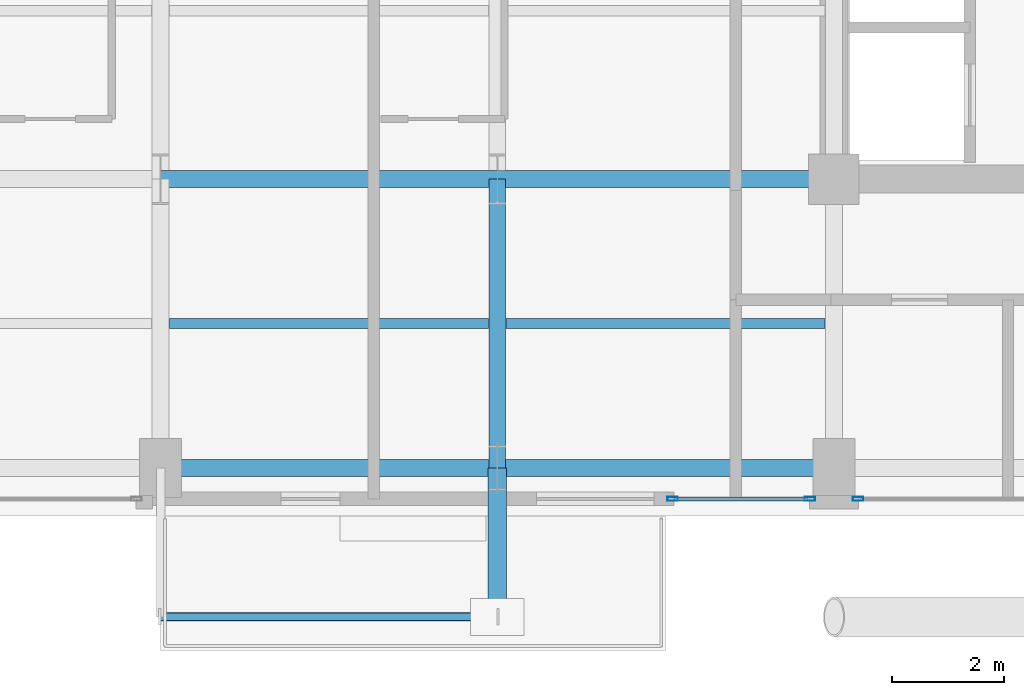
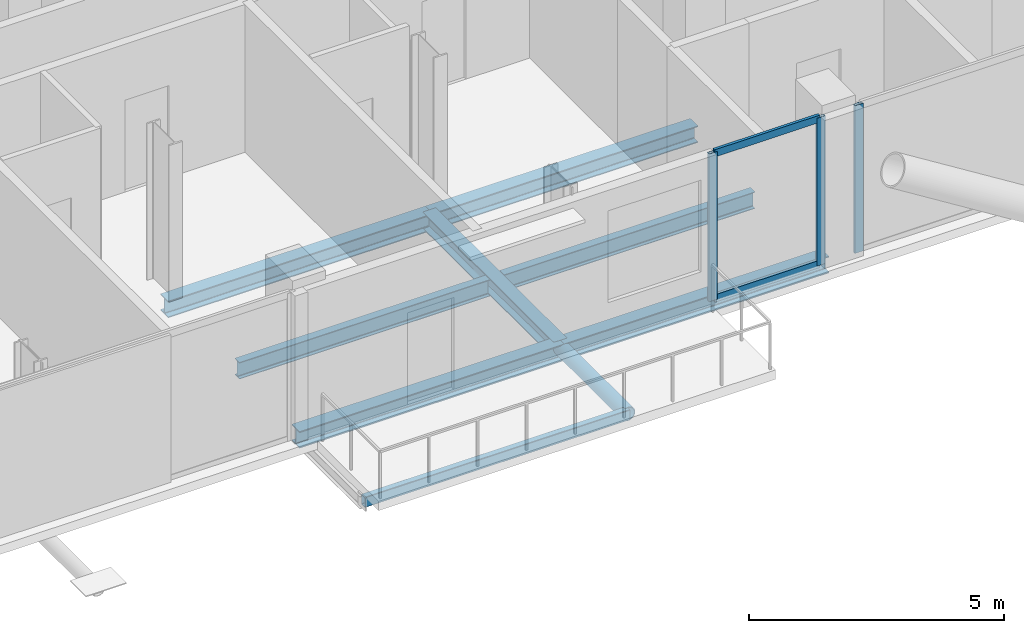
# One storey, part 4 of 22: 8 beams, 6 members, 2 elements without a shape of their own.
"""IFC4 building model written with IfcOpenShell, lengths in metres."""

import ifcopenshell
import ifcopenshell.guid

model = None  # the IFC model being written
_history = None  # IfcOwnerHistory: only IFC2X3 demands one
_inside = {}  # id of a spatial element -> (the spatial element, [elements in it])
_under = {}  # id of a project, library or spatial element -> (it, [spatial elements below it])
_declared = {}  # id of a project -> (the project, [libraries it declares])
_typed = {}  # id of a type object -> (the type object, [elements of that type])
_made_of = {}  # id of a material, layer set ... -> (it, [elements and type objects made of it])


def new_model(schema):
    """Start an empty IFC model of exactly this schema.

    Asked for "IFC4X3", IfcOpenShell would pick the latest addendum, in which some entities
    have other attributes; the version numbers below select the first issue.
    IFC2X3 requires an IfcOwnerHistory on every rooted entity: one is made here for all.
    """
    global model, _history
    if schema == "IFC4X3":
        model = ifcopenshell.file(schema_version=(4, 3, 0, 0))
    else:
        model = ifcopenshell.file(schema=schema)
    _inside.clear()
    _under.clear()
    _declared.clear()
    _typed.clear()
    _made_of.clear()
    _history = None
    if model.schema == "IFC2X3":
        org = make("IfcOrganization", Name="unknown")
        user = make(
            "IfcPersonAndOrganization",
            ThePerson=make("IfcPerson", FamilyName="unknown"),
            TheOrganization=org,
        )
        app = make(
            "IfcApplication",
            ApplicationDeveloper=org,
            Version="unknown",
            ApplicationFullName="unknown",
            ApplicationIdentifier="unknown",
        )
        _history = make(
            "IfcOwnerHistory",
            OwningUser=user,
            OwningApplication=app,
            ChangeAction="ADDED",
            CreationDate=0,
        )
    return model


def make(cls, **values):
    """One entity of the class cls with the attributes given. An attribute that is None is left unset."""
    return model.create_entity(
        cls, **{name: value for name, value in values.items() if value is not None}
    )


def rooted(cls, **values):
    """An entity with a GlobalId (a new one), such as an element, a storey or a relation."""
    return make(cls, GlobalId=ifcopenshell.guid.new(), OwnerHistory=_history, **values)


def si_unit(unit_type, name, prefix=None):
    """IfcSIUnit, for example si_unit("LENGTHUNIT", "METRE", prefix="MILLI")."""
    return make("IfcSIUnit", UnitType=unit_type, Prefix=prefix, Name=name)


def assignment(units):
    """IfcUnitAssignment: the units of a project."""
    return None if units is None else make("IfcUnitAssignment", Units=units)


def point(xyz):
    """IfcCartesianPoint."""
    return None if xyz is None else make("IfcCartesianPoint", Coordinates=xyz)


def direction(xyz):
    """IfcDirection."""
    return None if xyz is None else make("IfcDirection", DirectionRatios=xyz)


def frame(location, z_axis=None, x_axis=None):
    """IfcAxis2Placement3D, a coordinate frame: its origin and axes. An axis left out is left unset."""
    return make(
        "IfcAxis2Placement3D",
        Location=point(location),
        Axis=direction(z_axis),
        RefDirection=direction(x_axis),
    )


def frame_2d(location, x_axis=None):
    """IfcAxis2Placement2D, a coordinate frame in the plane: its origin and x axis."""
    return make(
        "IfcAxis2Placement2D", Location=point(location), RefDirection=direction(x_axis)
    )


def origin():
    """The frame at (0, 0, 0) with its axes left unset."""
    return frame((0.0, 0.0, 0.0))


def origin_2d():
    """The frame at (0, 0) in the plane with its x axis left unset."""
    return frame_2d((0.0, 0.0))


def place(relative_to, where):
    """IfcLocalPlacement: puts the frame where relative to a parent placement (None: the world)."""
    return make(
        "IfcLocalPlacement", PlacementRelTo=relative_to, RelativePlacement=where
    )


def context(
    kind, dimensions, precision=None, world=None, true_north=None, identifier=None
):
    """IfcGeometricRepresentationContext, for example the 3D "Model" context."""
    return make(
        "IfcGeometricRepresentationContext",
        ContextIdentifier=identifier,
        ContextType=kind,
        CoordinateSpaceDimension=dimensions,
        Precision=precision,
        WorldCoordinateSystem=world,
        TrueNorth=true_north,
    )


def subcontext(parent, identifier, kind, view, scale=None):
    """IfcGeometricRepresentationSubContext, for example "Body" below "Model"."""
    return make(
        "IfcGeometricRepresentationSubContext",
        ContextIdentifier=identifier,
        ContextType=kind,
        ParentContext=parent,
        TargetScale=scale,
        TargetView=view,
    )


def project(units=None, contexts=None):
    """IfcProject with its units and contexts."""
    return rooted(
        "IfcProject",
        Name="project",
        RepresentationContexts=contexts,
        UnitsInContext=assignment(units),
    )


def spatial(cls, under=None, at=None, **own):
    """A site, building, storey or space (cls), placed at a placement, below another one or the project."""
    s = rooted(cls, ObjectPlacement=at, **own)
    if under is not None:
        _under.setdefault(under.id(), (under, []))[1].append(s)
    return s


def profile(cls, at=None, kind="AREA", **sizes):
    """A parametric profile (cls). Its sizes go by their IFC names, for example OverallWidth=200.0."""
    return make(cls, ProfileType=kind, Position=at, **sizes)


def hollow_rectangle(**sizes):
    """IfcRectangleHollowProfileDef."""
    return profile("IfcRectangleHollowProfileDef", **sizes)


def hollow_circle(**sizes):
    """IfcCircleHollowProfileDef."""
    return profile("IfcCircleHollowProfileDef", **sizes)


def i_section(**sizes):
    """IfcIShapeProfileDef."""
    return profile("IfcIShapeProfileDef", **sizes)


def extrude(swept, where, along, depth):
    """IfcExtrudedAreaSolid: the profile swept, set in the frame where, extruded along a direction by depth."""
    return make(
        "IfcExtrudedAreaSolid",
        SweptArea=swept,
        Position=where,
        ExtrudedDirection=direction(along),
        Depth=depth,
    )


def shape(context_of_items, identifier, shape_type, items):
    """IfcShapeRepresentation: the items that make up one representation, for example the "Body"."""
    return make(
        "IfcShapeRepresentation",
        ContextOfItems=context_of_items,
        RepresentationIdentifier=identifier,
        RepresentationType=shape_type,
        Items=items,
    )


def material(Name=None, Category=None):
    """IfcMaterial."""
    return make("IfcMaterial", Name=Name, Category=Category)


def layer(
    of_material, thickness, ventilated=None, Name=None, Category=None, Priority=None
):
    """IfcMaterialLayer: one layer of a wall or slab, of a material (None: an air gap)."""
    return make(
        "IfcMaterialLayer",
        Material=of_material,
        LayerThickness=thickness,
        IsVentilated=ventilated,
        Name=Name,
        Category=Category,
        Priority=Priority,
    )


def layer_set(layers, Name=None):
    """IfcMaterialLayerSet."""
    return make("IfcMaterialLayerSet", MaterialLayers=layers, LayerSetName=Name)


def material_profile(
    of_material, cross_section, Name=None, Category=None, Priority=None
):
    """IfcMaterialProfile: a cross section and its material."""
    return make(
        "IfcMaterialProfile",
        Name=Name,
        Material=of_material,
        Profile=cross_section,
        Priority=Priority,
        Category=Category,
    )


def profile_set(profiles, Name=None, composite=None):
    """IfcMaterialProfileSet."""
    return make(
        "IfcMaterialProfileSet",
        Name=Name,
        MaterialProfiles=profiles,
        CompositeProfile=composite,
    )


def made_of(thing, what):
    """Note that an element or type object is made of a material, layer set ...; save() writes the relation."""
    if what is not None:
        _made_of.setdefault(what.id(), (what, []))[1].append(thing)
    return thing


def type_object(cls, material=None, **own):
    """A type object (cls), such as IfcWallType, which elements share."""
    return made_of(rooted(cls, **own), material)


def element(
    cls,
    number,
    at=None,
    inside=None,
    cuts=None,
    type_object=None,
    material=None,
    context=None,
    identifier="Body",
    shape_type=None,
    held_by="IfcProductDefinitionShape",
    body=None,
    shapes=None,
    **own,
):
    """One element of the class cls, such as IfcWall. Its Tag is "e" and its number.

    at: its placement. inside: the storey or other place that contains it. cuts: it is an
    opening in that element (IfcRelVoidsElement). A single representation is given by context,
    identifier, shape_type and body (its items); several are given by shapes. held_by: the class
    of the entity that holds the representations. save() writes the other relations.
    """
    e = rooted(cls, Tag="e%d" % number, ObjectPlacement=at, **own)
    if body is not None:
        shapes = [shape(context, identifier, shape_type, body)]
    if shapes is not None:
        e.Representation = make(held_by, Representations=shapes)
    if inside is not None:
        _inside.setdefault(inside.id(), (inside, []))[1].append(e)
    if cuts is not None:
        rooted(
            "IfcRelVoidsElement", RelatingBuildingElement=cuts, RelatedOpeningElement=e
        )
    if type_object is not None:
        _typed.setdefault(type_object.id(), (type_object, []))[1].append(e)
    return made_of(e, material)


def aggregate(whole, parts):
    """IfcRelAggregates: a whole, such as a stair, and the parts it consists of."""
    return rooted("IfcRelAggregates", RelatingObject=whole, RelatedObjects=parts)


def save(model, path):
    """Write the relations noted so far, then the file.

    IfcRelAggregates (storeys below a building ...), IfcRelContainedInSpatialStructure (elements
    in a storey), IfcRelDefinesByType, IfcRelAssociatesMaterial and IfcRelDeclares: one each for
    every whole, place, type object, material and project.
    """
    for whole, parts in _under.values():
        aggregate(whole, parts)
    for where, things in _inside.values():
        rooted(
            "IfcRelContainedInSpatialStructure",
            RelatedElements=things,
            RelatingStructure=where,
        )
    for kind, things in _typed.values():
        rooted("IfcRelDefinesByType", RelatedObjects=things, RelatingType=kind)
    for what, things in _made_of.values():
        rooted("IfcRelAssociatesMaterial", RelatedObjects=things, RelatingMaterial=what)
    for by, libraries in _declared.values():
        rooted("IfcRelDeclares", RelatingContext=by, RelatedDefinitions=libraries)
    model.write(path)


model = new_model("IFC4")

# Units and contexts
model_context = context("Model", 3, precision=1e-05, world=origin(), true_north=direction((0.0, 1.0)))
body_context = subcontext(model_context, "Body", "Model", "MODEL_VIEW")
ifc_project = project(units=[si_unit("LENGTHUNIT", "METRE"), si_unit("AREAUNIT", "SQUARE_METRE"), si_unit("VOLUMEUNIT", "CUBIC_METRE"), si_unit("PLANEANGLEUNIT", "RADIAN"), si_unit("MASSUNIT", "GRAM", prefix="KILO"), si_unit("THERMODYNAMICTEMPERATUREUNIT", "KELVIN"), si_unit("POWERUNIT", "WATT")], contexts=[model_context])

# Site, building, storey
site_placement = place(None, origin())
site = spatial("IfcSite", under=ifc_project, at=site_placement, CompositionType="ELEMENT")
building_placement = place(site_placement, origin())
building = spatial("IfcBuilding", under=site, at=building_placement, Name="Svarakhadi Broadcast Tower", CompositionType="ELEMENT")
storey_placement = place(building_placement, frame((0.0, 0.0, 172.949951171875)))
storey = spatial("IfcBuildingStorey", under=building, at=storey_placement, Name="L42", CompositionType="ELEMENT", Elevation=172.949951171875)

# Beams
ifc_material_1 = material(Name="Steel S355J2 (IS 2062 E350C)", Category="steel")
ifc_material_profile_1 = material_profile(ifc_material_1, i_section(OverallWidth=0.179931640625, OverallDepth=0.39990234375, WebThickness=0.008544921875, FlangeThickness=0.013427734375, FilletRadius=0.02099609375, at=origin_2d()), Name="NPB 400x180x66")
ifc_profile_set_1 = profile_set([ifc_material_profile_1], Name="Steel S355J2 (IS 2062 E350C)")
beam_type_1 = type_object("IfcBeamType", Name="Beam_NPB400", PredefinedType="BEAM", material=ifc_profile_set_1)
for number, where, z_axis, x_axis, name in (
    (1, (12.159912109375, 3.425048828125, -0.409912109375), (1.0, 0.0, 0.0), (0.0, 1.0, 0.0), "L42 Secondary Composite Beam SB009"),
    (2, (18.159912109375, 3.425048828125, -0.409912109375), (1.0, 0.0, 0.0), (0.0, 1.0, 0.0), "L42 Secondary Composite Beam SB013"),
):
    element("IfcBeam", number, at=place(storey_placement, frame(where, z_axis=z_axis, x_axis=x_axis)), inside=storey, type_object=beam_type_1, Name=name, PredefinedType="BEAM", context=body_context, shape_type="SweptSolid", body=[
        extrude(i_section(OverallWidth=0.179931640625, OverallDepth=0.39990234375, WebThickness=0.008544921875, FlangeThickness=0.013427734375, FilletRadius=0.02099609375, at=origin_2d()), origin(), (0.0, 0.0, 1.0), 5.68017578125),
    ])

# Curtain wall, member
ifc_material_2 = material(Name="Anodised Bronze Aluminium AA 6063-T6", Category="aluminium")
ifc_layer = layer(ifc_material_2, 0.18994140625)
ifc_layer_set = layer_set([ifc_layer], Name="Anodised Bronze Aluminium AA 6063-T6")
curtain_wall_type = type_object("IfcCurtainWallType", Name="CW_Sys_04", PredefinedType="NOTDEFINED", material=ifc_layer_set)
curtain_wall_1_placement = place(storey_placement, origin())
curtain_wall_1 = element("IfcCurtainWall", 3, at=curtain_wall_1_placement, inside=storey, type_object=curtain_wall_type, Name="L42 South Curtain Wall 16 Bay 3", PredefinedType="NOTDEFINED")
ifc_material_profile_2 = material_profile(ifc_material_2, hollow_rectangle(XDim=0.070068359375, YDim=0.18994140625, WallThickness=0.005615234375, at=origin_2d()), Name="ALU MULLION 190x70x6")
ifc_profile_set_2 = profile_set([ifc_material_profile_2], Name="Anodised Bronze Aluminium AA 6063-T6")
member_type_1 = type_object("IfcMemberType", Name="CW_Sys_04_Mul", PredefinedType="MULLION", material=ifc_profile_set_2)
member_1_placement = place(storey_placement, frame((24.429931640625, 0.300048828125, 0.0), z_axis=(0.0, 0.0, 1.0), x_axis=(0.0, -1.0, 0.0)))
member_1 = element("IfcMember", 4, at=member_1_placement, type_object=member_type_1, Name="CW-04 mullion 2", PredefinedType="MULLION", context=body_context, shape_type="SweptSolid", body=[
    extrude(hollow_rectangle(XDim=0.070068359375, YDim=0.18994140625, WallThickness=0.005615234375, at=origin_2d()), origin(), (0.0, 0.0, 1.0), 3.5400390625),
])
aggregate(curtain_wall_1, [member_1])

# Curtain wall, members
curtain_wall_2_placement = place(storey_placement, origin())
curtain_wall_2 = element("IfcCurtainWall", 5, at=curtain_wall_2_placement, inside=storey, type_object=curtain_wall_type, Name="L42 South Curtain Wall 16 Bay 4", PredefinedType="NOTDEFINED")
member_2_placement = place(storey_placement, frame((23.570068359375, 0.300048828125, 0.0), z_axis=(0.0, 0.0, 1.0), x_axis=(0.0, -1.0, 0.0)))
member_2 = element("IfcMember", 6, at=member_2_placement, type_object=member_type_1, Name="CW-04 mullion 1", PredefinedType="MULLION", context=body_context, shape_type="SweptSolid", body=[
    extrude(hollow_rectangle(XDim=0.070068359375, YDim=0.18994140625, WallThickness=0.005615234375, at=origin_2d()), origin(), (0.0, 0.0, 1.0), 3.5400390625),
])
member_3_placement = place(storey_placement, frame((21.125, 0.300048828125, 0.0), z_axis=(0.0, 0.0, 1.0), x_axis=(0.0, -1.0, 0.0)))
member_3 = element("IfcMember", 7, at=member_3_placement, type_object=member_type_1, Name="CW-04 mullion 2", PredefinedType="MULLION", context=body_context, shape_type="SweptSolid", body=[
    extrude(hollow_rectangle(XDim=0.070068359375, YDim=0.18994140625, WallThickness=0.005615234375, at=origin_2d()), origin(), (0.0, 0.0, 1.0), 3.5400390625),
])
ifc_material_profile_3 = material_profile(ifc_material_2, hollow_rectangle(XDim=0.06494140625, YDim=0.175048828125, WallThickness=0.0048828125, at=origin_2d()), Name="ALU TRANSOM 175x65x5")
ifc_profile_set_3 = profile_set([ifc_material_profile_3], Name="Anodised Bronze Aluminium AA 6063-T6")
member_type_2 = type_object("IfcMemberType", Name="CW_Sys_04_Trn", PredefinedType="USERDEFINED", material=ifc_profile_set_3)
member_4_placement = place(storey_placement, frame((23.534912109375, 0.300048828125, 0.032470703125), z_axis=(-1.0, 0.0, 0.0), x_axis=(0.0, -1.0, 0.0)))
member_4 = element("IfcMember", 8, at=member_4_placement, type_object=member_type_2, Name="CW-04 transom 1.1", ObjectType="TRANSOM", PredefinedType="USERDEFINED", context=body_context, shape_type="SweptSolid", body=[
    extrude(hollow_rectangle(XDim=0.06494140625, YDim=0.175048828125, WallThickness=0.0048828125, at=origin_2d()), origin(), (0.0, 0.0, 1.0), 2.375),
])
member_5_placement = place(storey_placement, frame((23.534912109375, 0.300048828125, 3.507568359375), z_axis=(-1.0, 0.0, 0.0), x_axis=(0.0, -1.0, 0.0)))
member_5 = element("IfcMember", 9, at=member_5_placement, type_object=member_type_2, Name="CW-04 transom 1.2", ObjectType="TRANSOM", PredefinedType="USERDEFINED", context=body_context, shape_type="SweptSolid", body=[
    extrude(hollow_rectangle(XDim=0.06494140625, YDim=0.175048828125, WallThickness=0.0048828125, at=origin_2d()), origin(), (0.0, 0.0, 1.0), 2.375),
])
aggregate(curtain_wall_2, [member_2, member_3, member_4, member_5])

# Member
ifc_material_3 = material(Name="Steel S460ML (IS 2062 E450BR)", Category="steel")
ifc_material_profile_4 = material_profile(ifc_material_3, hollow_circle(Radius=0.161865234375, WallThickness=0.01611328125, at=origin_2d()), Name="CHS 323.9x16")
ifc_profile_set_4 = profile_set([ifc_material_profile_4], Name="Steel S460ML (IS 2062 E450BR)")
member_type_3 = type_object("IfcMemberType", Name="Exo_Radial_Strut_Z2", PredefinedType="STRUT", material=ifc_profile_set_4)
member_6_placement = place(storey_placement, frame((18.0, -1.800048828125, -0.371826171875), z_axis=(0.0, 1.0, 0.0), x_axis=(-1.0, 0.0, 0.0)))
element("IfcMember", 10, at=member_6_placement, inside=storey, type_object=member_type_3, Name="L42 Exoskeleton Radial Tie Strut S02", PredefinedType="STRUT", context=body_context, shape_type="SweptSolid", body=[
    extrude(hollow_circle(Radius=0.161865234375, WallThickness=0.01611328125, at=origin_2d()), origin(), (0.0, 0.0, 1.0), 2.650146484375),
])

# Beams
ifc_material_profile_5 = material_profile(ifc_material_1, i_section(OverallWidth=0.300048828125, OverallDepth=0.39990234375, WebThickness=0.013427734375, FlangeThickness=0.02392578125, FilletRadius=0.027099609375, at=origin_2d()), Name="WPB 400x300x155")
ifc_profile_set_5 = profile_set([ifc_material_profile_5], Name="Steel S355J2 (IS 2062 E350C)")
beam_type_2 = type_object("IfcBeamType", Name="Girder_WPB400", PredefinedType="USERDEFINED", material=ifc_profile_set_5)
for number, where, z_axis, x_axis, name in (
    (11, (12.0, 0.85009765625, -0.409912109375), (1.0, 0.0, 0.0), (0.0, 1.0, 0.0), "L42 Primary E-W Girder G005"),
    (12, (18.0, 0.85009765625, -0.409912109375), (1.0, 0.0, 0.0), (0.0, 1.0, 0.0), "L42 Primary E-W Girder G006"),
    (13, (12.0, 6.0, -0.409912109375), (1.0, 0.0, 0.0), (0.0, 1.0, 0.0), "L42 Primary E-W Girder G011"),
    (14, (18.0, 6.0, -0.409912109375), (1.0, 0.0, 0.0), (0.0, 1.0, 0.0), "L42 Primary E-W Girder G012"),
):
    element("IfcBeam", number, at=place(storey_placement, frame(where, z_axis=z_axis, x_axis=x_axis)), inside=storey, type_object=beam_type_2, Name=name, ObjectType="GIRDER", PredefinedType="USERDEFINED", context=body_context, shape_type="SweptSolid", body=[
        extrude(i_section(OverallWidth=0.300048828125, OverallDepth=0.39990234375, WebThickness=0.013427734375, FlangeThickness=0.02392578125, FilletRadius=0.027099609375, at=origin_2d()), origin(), (0.0, 0.0, 1.0), 6.0),
    ])
beam_1_placement = place(storey_placement, frame((18.0, 0.85009765625, -0.409912109375), z_axis=(0.0, 1.0, 0.0), x_axis=(-1.0, 0.0, 0.0)))
element("IfcBeam", 15, at=beam_1_placement, inside=storey, type_object=beam_type_2, Name="L42 Primary N-S Girder G046", ObjectType="GIRDER", PredefinedType="USERDEFINED", context=body_context, shape_type="SweptSolid", body=[
    extrude(i_section(OverallWidth=0.300048828125, OverallDepth=0.39990234375, WebThickness=0.013427734375, FlangeThickness=0.02392578125, FilletRadius=0.027099609375, at=origin_2d()), origin(), (0.0, 0.0, 1.0), 5.14990234375),
])
ifc_material_profile_6 = material_profile(ifc_material_3, hollow_rectangle(XDim=0.14990234375, YDim=0.25, WallThickness=0.010009765625, InnerFilletRadius=0.010009765625, OuterFilletRadius=0.02001953125, at=origin_2d()), Name="RHS 250x150x10")
ifc_profile_set_6 = profile_set([ifc_material_profile_6], Name="Steel S460ML (IS 2062 E450BR)")
beam_type_3 = type_object("IfcBeamType", Name="Spandrel_RHS250", PredefinedType="SPANDREL", material=ifc_profile_set_6)
beam_2_placement = place(storey_placement, frame((12.0, -1.800048828125, -0.349853515625), z_axis=(1.0, 0.0, 0.0), x_axis=(0.0, 1.0, 0.0)))
element("IfcBeam", 16, at=beam_2_placement, inside=storey, type_object=beam_type_3, Name="L42 Balcony Outer Spandrel 1F", PredefinedType="SPANDREL", context=body_context, shape_type="SweptSolid", body=[
    extrude(hollow_rectangle(XDim=0.14990234375, YDim=0.25, WallThickness=0.010009765625, InnerFilletRadius=0.010009765625, OuterFilletRadius=0.02001953125, at=origin_2d()), origin(), (0.0, 0.0, 1.0), 6.0),
])

save(model, "model.ifc")
